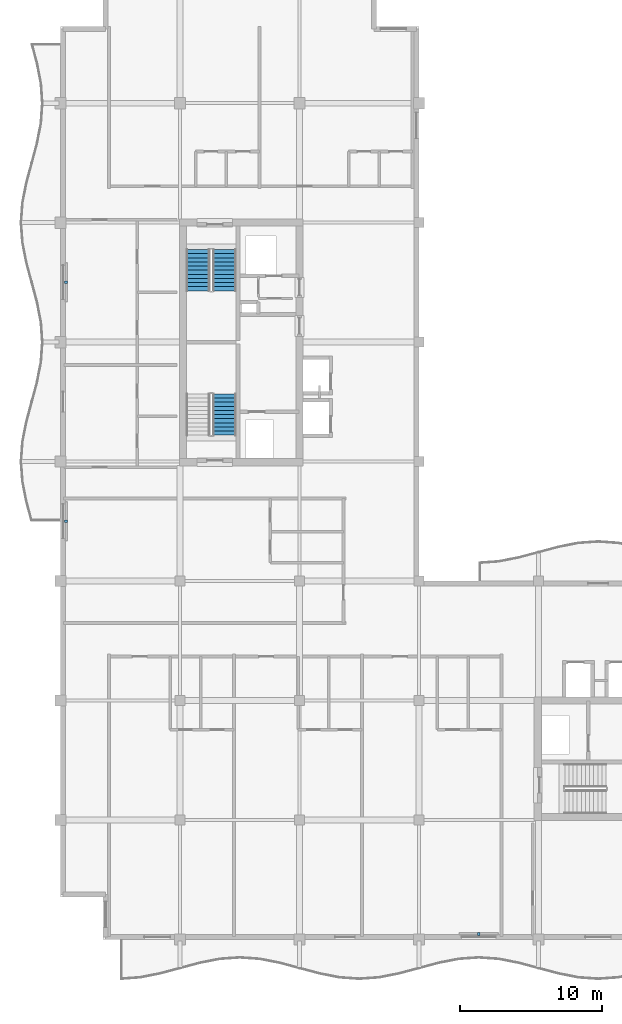
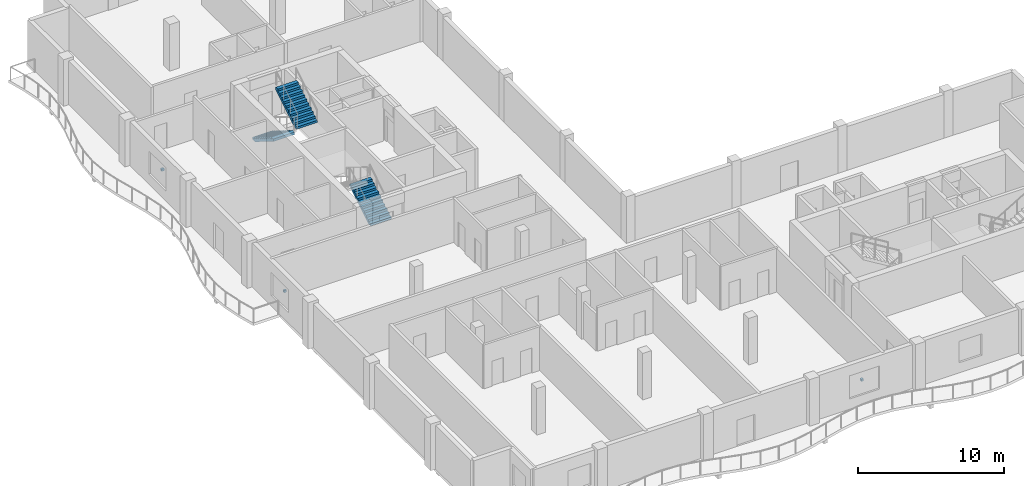
# One storey, part 11 of 14: 3 discrete accessories, 3 stair flights, 2 elements without a shape of their own.
"""IFC4 building model written with IfcOpenShell, lengths in metres."""

from ifc_helpers import new_model, si_unit, direction, frame, origin, origin_2d, place, context, subcontext, project, spatial, polyline, rectangle, outline, extrude, material, type_object, element, aggregate, save


model = new_model("IFC4")

# Units and contexts
model_context = context("Model", 3, precision=1e-05, world=origin(), true_north=direction((0.0, 1.0)))
body_context = subcontext(model_context, "Body", "Model", "MODEL_VIEW")
ifc_project = project(units=[si_unit("LENGTHUNIT", "METRE"), si_unit("AREAUNIT", "SQUARE_METRE"), si_unit("VOLUMEUNIT", "CUBIC_METRE"), si_unit("PLANEANGLEUNIT", "RADIAN"), si_unit("MASSUNIT", "GRAM", prefix="KILO")], contexts=[model_context])

# Site, building, storey
site_placement = place(None, origin())
site = spatial("IfcSite", under=ifc_project, at=site_placement, CompositionType="ELEMENT")
building_placement = place(site_placement, origin())
building = spatial("IfcBuilding", under=site, at=building_placement, Name="Koriwani Terraces Tower", CompositionType="ELEMENT")
storey_placement = place(building_placement, frame((0.0, 0.0, 308.60009765625)))
storey = spatial("IfcBuildingStorey", under=building, at=storey_placement, Name="L76", CompositionType="ELEMENT", Elevation=308.60009765625)

# Stair, stair flight
ifc_material_1 = material(Name="Concrete C40/50", Category="concrete")
stair_type = type_object("IfcStairType", Name="STAIR_CORE_DOGLEG_1650", PredefinedType="TWO_STRAIGHT_RUN_STAIR", material=ifc_material_1)
stair_1_placement = place(storey_placement, origin())
stair_1 = element("IfcStair", 1, at=stair_1_placement, inside=storey, type_object=stair_type, Name="L76 West Core Exit Stair 1", PredefinedType="HALF_TURN_STAIR")
stair_flight_type = type_object("IfcStairFlightType", Name="STAIR_FLIGHT_RC_1650", PredefinedType="STRAIGHT", material=ifc_material_1)
stair_flight_1_placement = place(storey_placement, frame((19.925048828125, 43.85009765625, 0.0), z_axis=(0.0, 0.0, 1.0), x_axis=(0.0, 1.0, 0.0)))
stair_flight_1 = element("IfcStairFlight", 2, at=stair_flight_1_placement, type_object=stair_flight_type, Name="ST-W1 flight 1", NumberOfRisers=11, NumberOfTreads=10, PredefinedType="STRAIGHT", RiserHeight=0.177272727, TreadLength=0.29, context=body_context, shape_type="SweptSolid", body=[
    extrude(outline(polyline([(0.0, 0.0), (0.0, 0.17724609375), (0.2900390625, 0.17724609375), (0.2900390625, 0.3544921875), (0.580078125, 0.3544921875), (0.580078125, 0.53173828125), (0.8701171875, 0.53173828125), (0.8701171875, 0.708984375), (1.159912109375, 0.708984375), (1.159912109375, 0.886474609375), (1.449951171875, 0.886474609375), (1.449951171875, 1.063720703125), (1.739990234375, 1.063720703125), (1.739990234375, 1.240966796875), (2.030029296875, 1.240966796875), (2.030029296875, 1.418212890625), (2.320068359375, 1.418212890625), (2.320068359375, 1.595458984375), (2.610107421875, 1.595458984375), (2.610107421875, 1.772705078125), (2.89990234375, 1.772705078125), (2.89990234375, 1.949951171875), (2.89990234375, 1.561767578125), (0.344970703125, 0.0), (0.0, 0.0)])), frame((0.0, 0.824951171875, 0.0), z_axis=(0.0, -1.0, 0.0), x_axis=(1.0, 0.0, 0.0)), (0.0, 0.0, 1.0), 1.64990234375),
])
aggregate(stair_1, [stair_flight_1])

# Stair, stair flights
stair_2_placement = place(storey_placement, origin())
stair_2 = element("IfcStair", 3, at=stair_2_placement, inside=storey, type_object=stair_type, Name="L76 West Core Exit Stair 2", PredefinedType="HALF_TURN_STAIR")
stair_flight_2_placement = place(storey_placement, frame((18.074951171875, 56.89990234375, 0.0), z_axis=(0.0, 0.0, 1.0), x_axis=(0.0, -1.0, 0.0)))
stair_flight_2 = element("IfcStairFlight", 4, at=stair_flight_2_placement, type_object=stair_flight_type, Name="ST-W2 flight 1", NumberOfRisers=11, NumberOfTreads=10, PredefinedType="STRAIGHT", RiserHeight=0.177272727, TreadLength=0.29, context=body_context, shape_type="SweptSolid", body=[
    extrude(outline(polyline([(0.0, 0.0), (0.0, 0.17724609375), (0.2900390625, 0.17724609375), (0.2900390625, 0.3544921875), (0.580078125, 0.3544921875), (0.580078125, 0.53173828125), (0.8701171875, 0.53173828125), (0.8701171875, 0.708984375), (1.159912109375, 0.708984375), (1.159912109375, 0.886474609375), (1.449951171875, 0.886474609375), (1.449951171875, 1.063720703125), (1.739990234375, 1.063720703125), (1.739990234375, 1.240966796875), (2.030029296875, 1.240966796875), (2.030029296875, 1.418212890625), (2.320068359375, 1.418212890625), (2.320068359375, 1.595458984375), (2.610107421875, 1.595458984375), (2.610107421875, 1.772705078125), (2.89990234375, 1.772705078125), (2.89990234375, 1.949951171875), (2.89990234375, 1.561767578125), (0.344970703125, 0.0), (0.0, 0.0)])), frame((0.0, 0.824951171875, 0.0), z_axis=(0.0, -1.0, 0.0), x_axis=(1.0, 0.0, 0.0)), (0.0, 0.0, 1.0), 1.64990234375),
])
stair_flight_3_placement = place(storey_placement, frame((19.925048828125, 54.0, 1.949951171875), z_axis=(0.0, 0.0, 1.0), x_axis=(0.0, 1.0, 0.0)))
stair_flight_3 = element("IfcStairFlight", 5, at=stair_flight_3_placement, type_object=stair_flight_type, Name="ST-W2 flight 2", NumberOfRisers=11, NumberOfTreads=10, PredefinedType="STRAIGHT", RiserHeight=0.177272727, TreadLength=0.29, context=body_context, shape_type="SweptSolid", body=[
    extrude(outline(polyline([(0.0, 0.0), (0.0, 0.17724609375), (0.2900390625, 0.17724609375), (0.2900390625, 0.3544921875), (0.580078125, 0.3544921875), (0.580078125, 0.53173828125), (0.8701171875, 0.53173828125), (0.8701171875, 0.708984375), (1.159912109375, 0.708984375), (1.159912109375, 0.886474609375), (1.449951171875, 0.886474609375), (1.449951171875, 1.063720703125), (1.739990234375, 1.063720703125), (1.739990234375, 1.240966796875), (2.030029296875, 1.240966796875), (2.030029296875, 1.418212890625), (2.320068359375, 1.418212890625), (2.320068359375, 1.595458984375), (2.610107421875, 1.595458984375), (2.610107421875, 1.772705078125), (2.89990234375, 1.772705078125), (2.89990234375, 1.949951171875), (2.89990234375, 1.561767578125), (0.344970703125, 0.0), (0.0, 0.0)])), frame((0.0, 0.824951171875, 0.0), z_axis=(0.0, -1.0, 0.0), x_axis=(1.0, 0.0, 0.0)), (0.0, 0.0, 1.0), 1.64990234375),
])
aggregate(stair_2, [stair_flight_2, stair_flight_3])

# Discrete accessories
ifc_material_2 = material(Name="Steel ASTM A572 Grade 50", Category="steel")
discrete_accessory_type = type_object("IfcDiscreteAccessoryType", Name="BAGUETTE_STANDOFF_BRACKET", PredefinedType="BRACKET", material=ifc_material_2)
for number, where, z_axis, x_axis, name in (
    (6, (8.7900390625, 37.800048828125, 1.7451171875), (0.0, 0.0, 1.0), (0.0, 1.0, 0.0), "L76 Terracotta Baguette Bracket (W-9)"),
    (7, (8.7900390625, 54.60009765625, 1.7451171875), (0.0, 0.0, 1.0), (0.0, 1.0, 0.0), "L76 Terracotta Baguette Bracket (W-15)"),
    (8, (37.800048828125, 8.7900390625, 1.7451171875), (0.0, 0.0, 1.0), (-1.0, 0.0, 0.0), "L76 Terracotta Baguette Bracket (S-9)"),
):
    element("IfcDiscreteAccessory", number, at=place(storey_placement, frame(where, z_axis=z_axis, x_axis=x_axis)), inside=storey, type_object=discrete_accessory_type, Name=name, PredefinedType="BRACKET", context=body_context, shape_type="SweptSolid", body=[
        extrude(rectangle(XDim=0.159912109375, YDim=0.199951171875, at=origin_2d()), origin(), (0.0, 0.0, 1.0), 0.179931640625),
    ])

save(model, "model.ifc")
